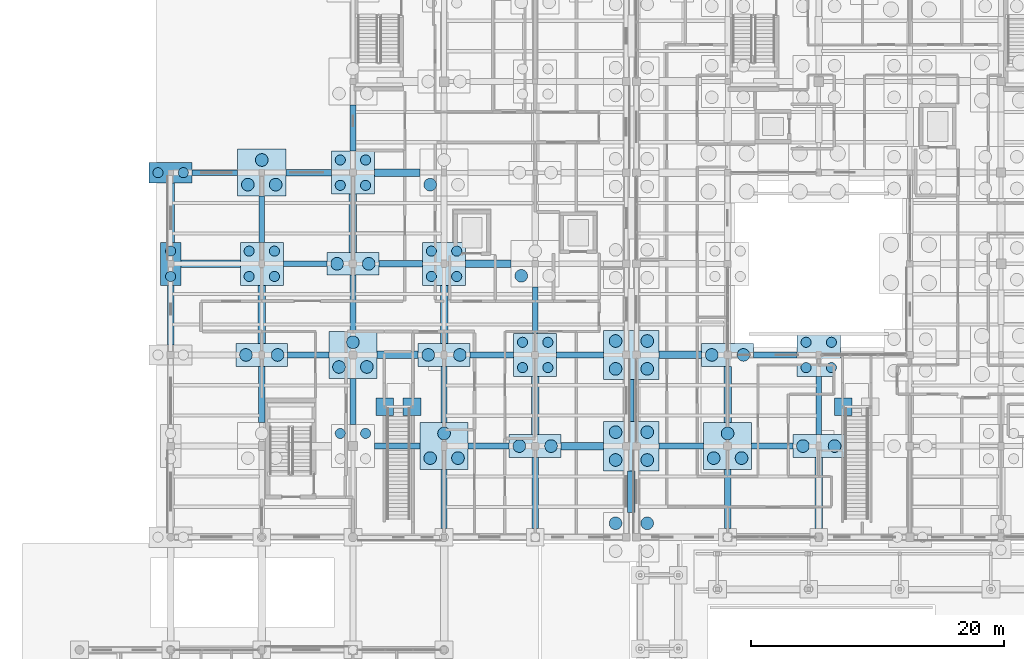
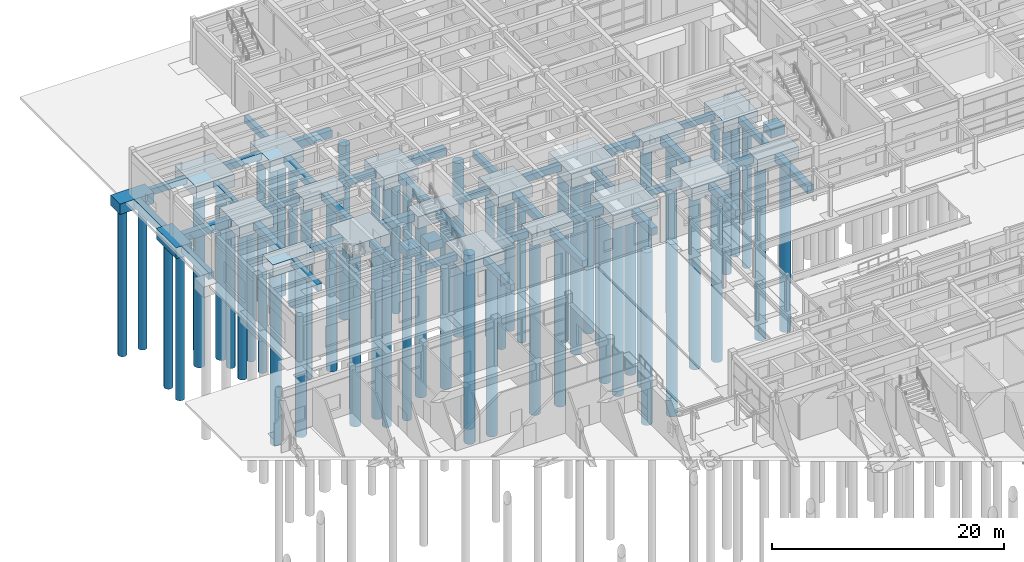
# One storey, part 6 of 143: 62 piles, 61 footings.
"""IFC4 building model written with IfcOpenShell, lengths in metres."""

from ifc_helpers import new_model, si_unit, direction, frame, origin, origin_2d, place, context, subcontext, project, spatial, rectangle, circle, extrude, material, material_profile, profile_set, type_object, element, save


model = new_model("IFC4")

# Units and contexts
model_context = context("Model", 3, precision=1e-05, world=origin(), true_north=direction((0.0, 1.0)))
body_context = subcontext(model_context, "Body", "Model", "MODEL_VIEW")
ifc_project = project(units=[si_unit("LENGTHUNIT", "METRE"), si_unit("AREAUNIT", "SQUARE_METRE"), si_unit("VOLUMEUNIT", "CUBIC_METRE"), si_unit("PLANEANGLEUNIT", "RADIAN"), si_unit("MASSUNIT", "GRAM", prefix="KILO")], contexts=[model_context])

# Site, building, storey
site_placement = place(None, origin())
site = spatial("IfcSite", under=ifc_project, at=site_placement, CompositionType="ELEMENT")
building_placement = place(site_placement, origin())
building = spatial("IfcBuilding", under=site, at=building_placement, Name="Steenspoor Specialist Clinic", CompositionType="ELEMENT")
storey_placement = place(building_placement, origin())
storey = spatial("IfcBuildingStorey", under=building, at=storey_placement, Name="L00", CompositionType="ELEMENT", Elevation=0.0)

# Footings
ifc_material = material(Name="Concrete C35/45", Category="concrete")
footing_type_1 = type_object("IfcFootingType", Name="FTG-PC-1P-700", PredefinedType="PILE_CAP", material=ifc_material)
for number, where, z_axis, x_axis, name in (
    (1, (68.72509765625, 75.449951171875, -0.89990234375), (0.0, 0.0, 1.0), (1.0, 0.0, 0.0), "Feature Stair Pad ST-F02 L"),
    (2, (32.52490234375, 75.449951171875, -0.89990234375), (0.0, 0.0, 1.0), (1.0, 0.0, 0.0), "Feature Stair Pad ST-F05 L"),
    (3, (34.675048828125, 75.449951171875, -0.89990234375), (0.0, 0.0, 1.0), (1.0, 0.0, 0.0), "Feature Stair Pad ST-F05 R"),
):
    element("IfcFooting", number, at=place(storey_placement, frame(where, z_axis=z_axis, x_axis=x_axis)), inside=storey, type_object=footing_type_1, Name=name, PredefinedType="PILE_CAP", context=body_context, shape_type="SweptSolid", body=[
        extrude(rectangle(XDim=1.39990234375, YDim=1.39990234375, at=origin_2d()), origin(), (0.0, 0.0, 1.0), 0.89990234375),
    ])
footing_type_2 = type_object("IfcFootingType", Name="FTG-PC-2P-1000", PredefinedType="PILE_CAP", material=ifc_material)
for number, where, z_axis, x_axis, name in (
    (4, (59.60009765625, 79.550048828125, -1.25), (0.0, 0.0, 1.0), (1.0, 0.0, 0.0), "Pile Cap FTG-PC-109"),
    (5, (66.800048828125, 72.35009765625, -1.25), (0.0, 0.0, 1.0), (1.0, 0.0, 0.0), "Pile Cap FTG-PC-115"),
    (6, (22.800048828125, 79.550048828125, -1.25), (0.0, 0.0, 1.0), (1.0, 0.0, 0.0), "Pile Cap FTG-PC-175"),
    (7, (30.0, 86.75, -1.25), (0.0, 0.0, 1.0), (1.0, 0.0, 0.0), "Pile Cap FTG-PC-181"),
    (8, (37.199951171875, 79.550048828125, -1.25), (0.0, 0.0, 1.0), (1.0, 0.0, 0.0), "Pile Cap FTG-PC-187"),
    (9, (44.39990234375, 72.35009765625, -1.25), (0.0, 0.0, 1.0), (1.0, 0.0, 0.0), "Pile Cap FTG-PC-193"),
):
    element("IfcFooting", number, at=place(storey_placement, frame(where, z_axis=z_axis, x_axis=x_axis)), inside=storey, type_object=footing_type_2, Name=name, PredefinedType="PILE_CAP", context=body_context, shape_type="SweptSolid", body=[
        extrude(rectangle(XDim=4.10009765625, YDim=1.800048828125, at=origin_2d()), origin(), (0.0, 0.0, 1.0), 1.25),
    ])
footing_type_3 = type_object("IfcFootingType", Name="FTG-PC-2P-800X", PredefinedType="PILE_CAP", material=ifc_material)
footing_1_placement = place(storey_placement, frame((15.60009765625, 93.949951171875, -1.10009765625), z_axis=(0.0, 0.0, 1.0), x_axis=(1.0, 0.0, 0.0)))
element("IfcFooting", 10, at=footing_1_placement, inside=storey, type_object=footing_type_3, Name="Pile Cap FTG-PC-172", PredefinedType="PILE_CAP", context=body_context, shape_type="SweptSolid", body=[
    extrude(rectangle(XDim=3.39990234375, YDim=1.60009765625, at=origin_2d()), origin(), (0.0, 0.0, 1.0), 1.10009765625),
])
footing_type_4 = type_object("IfcFootingType", Name="FTG-PC-2P-800Y", PredefinedType="PILE_CAP", material=ifc_material)
footing_2_placement = place(storey_placement, frame((15.60009765625, 86.75, -1.14990234375), z_axis=(0.0, 0.0, 1.0), x_axis=(1.0, 0.0, 0.0)))
element("IfcFooting", 11, at=footing_2_placement, inside=storey, type_object=footing_type_4, Name="Pile Cap FTG-PC-171", PredefinedType="PILE_CAP", context=body_context, shape_type="SweptSolid", body=[
    extrude(rectangle(XDim=1.60009765625, YDim=3.39990234375, at=origin_2d()), origin(), (0.0, 0.0, 1.0), 1.14990234375),
])
footing_type_5 = type_object("IfcFootingType", Name="FTG-PC-3P-1000", PredefinedType="PILE_CAP", material=ifc_material)
for number, where, z_axis, x_axis, name in (
    (12, (59.60009765625, 72.35009765625, -1.2998046875), (0.0, 0.0, 1.0), (1.0, 0.0, 0.0), "Pile Cap FTG-PC-108"),
    (13, (22.800048828125, 93.949951171875, -1.2998046875), (0.0, 0.0, 1.0), (1.0, 0.0, 0.0), "Pile Cap FTG-PC-177"),
    (14, (30.0, 79.550048828125, -1.2998046875), (0.0, 0.0, 1.0), (1.0, 0.0, 0.0), "Pile Cap FTG-PC-180"),
    (15, (37.199951171875, 72.35009765625, -1.2998046875), (0.0, 0.0, 1.0), (1.0, 0.0, 0.0), "Pile Cap FTG-PC-186"),
):
    element("IfcFooting", number, at=place(storey_placement, frame(where, z_axis=z_axis, x_axis=x_axis)), inside=storey, type_object=footing_type_5, Name=name, PredefinedType="PILE_CAP", context=body_context, shape_type="SweptSolid", body=[
        extrude(rectangle(XDim=3.800048828125, YDim=3.699951171875, at=origin_2d()), origin(), (0.0, 0.0, 1.0), 1.300048828125),
    ])
footing_type_6 = type_object("IfcFootingType", Name="FTG-PC-4P-800", PredefinedType="PILE_CAP", material=ifc_material)
for number, where, z_axis, x_axis, name in (
    (16, (66.800048828125, 79.550048828125, -1.2001953125), (0.0, 0.0, 1.0), (1.0, 0.0, 0.0), "Pile Cap FTG-PC-116"),
    (17, (22.800048828125, 86.75, -1.2001953125), (0.0, 0.0, 1.0), (1.0, 0.0, 0.0), "Pile Cap FTG-PC-176"),
    (18, (30.0, 93.949951171875, -1.2001953125), (0.0, 0.0, 1.0), (1.0, 0.0, 0.0), "Pile Cap FTG-PC-182"),
    (19, (37.199951171875, 86.75, -1.2001953125), (0.0, 0.0, 1.0), (1.0, 0.0, 0.0), "Pile Cap FTG-PC-188"),
    (20, (44.39990234375, 79.550048828125, -1.2001953125), (0.0, 0.0, 1.0), (1.0, 0.0, 0.0), "Pile Cap FTG-PC-194"),
):
    element("IfcFooting", number, at=place(storey_placement, frame(where, z_axis=z_axis, x_axis=x_axis)), inside=storey, type_object=footing_type_6, Name=name, PredefinedType="PILE_CAP", context=body_context, shape_type="SweptSolid", body=[
        extrude(rectangle(XDim=3.39990234375, YDim=3.39990234375, at=origin_2d()), origin(), (0.0, 0.0, 1.0), 1.199951171875),
    ])
footing_type_7 = type_object("IfcFootingType", Name="FTG-PC-SJ-4P", PredefinedType="PILE_CAP", material=ifc_material)
for number, where, z_axis, x_axis, name in (
    (21, (52.0, 72.35009765625, -1.4501953125), (0.0, 0.0, 1.0), (1.0, 0.0, 0.0), "Pile Cap FTG-PC-101"),
    (22, (52.0, 79.550048828125, -1.4501953125), (0.0, 0.0, 1.0), (1.0, 0.0, 0.0), "Pile Cap FTG-PC-102"),
):
    element("IfcFooting", number, at=place(storey_placement, frame(where, z_axis=z_axis, x_axis=x_axis)), inside=storey, type_object=footing_type_7, Name=name, PredefinedType="PILE_CAP", context=body_context, shape_type="SweptSolid", body=[
        extrude(rectangle(XDim=4.39990234375, YDim=3.89990234375, at=origin_2d()), origin(), (0.0, 0.0, 1.0), 1.449951171875),
    ])
footing_type_8 = type_object("IfcFootingType", Name="FTG-TB-450X650", PredefinedType="FOOTING_BEAM", material=ifc_material)
footing_3_placement = place(storey_placement, frame((33.5, 72.35009765625, -0.64990234375), z_axis=(0.0, 0.0, 1.0), x_axis=(1.0, 0.0, 0.0)))
element("IfcFooting", 23, at=footing_3_placement, inside=storey, type_object=footing_type_8, Name="Seismic Tie Beam FTG-TB-152", PredefinedType="FOOTING_BEAM", context=body_context, shape_type="SweptSolid", body=[
    extrude(rectangle(XDim=3.60009765625, YDim=0.449951171875, at=origin_2d()), origin(), (0.0, 0.0, 1.0), 0.64990234375),
])
footing_4_placement = place(storey_placement, frame((55.949951171875, 72.35009765625, -0.64990234375), z_axis=(0.0, 0.0, 1.0), x_axis=(1.0, 0.0, 0.0)))
element("IfcFooting", 24, at=footing_4_placement, inside=storey, type_object=footing_type_8, Name="Seismic Tie Beam FTG-TB-155", PredefinedType="FOOTING_BEAM", context=body_context, shape_type="SweptSolid", body=[
    extrude(rectangle(XDim=3.5, YDim=0.449951171875, at=origin_2d()), origin(), (0.0, 0.0, 1.0), 0.64990234375),
])
for number, where, z_axis, x_axis, name in (
    (25, (40.97509765625, 79.550048828125, -0.64990234375), (0.0, 0.0, 1.0), (1.0, 0.0, 0.0), "Seismic Tie Beam FTG-TB-173"),
    (26, (63.375, 79.550048828125, -0.64990234375), (0.0, 0.0, 1.0), (1.0, 0.0, 0.0), "Seismic Tie Beam FTG-TB-176"),
    (27, (26.22509765625, 86.75, -0.64990234375), (0.0, 0.0, 1.0), (1.0, 0.0, 0.0), "Seismic Tie Beam FTG-TB-191"),
):
    element("IfcFooting", number, at=place(storey_placement, frame(where, z_axis=z_axis, x_axis=x_axis)), inside=storey, type_object=footing_type_8, Name=name, PredefinedType="FOOTING_BEAM", context=body_context, shape_type="SweptSolid", body=[
        extrude(rectangle(XDim=3.449951171875, YDim=0.449951171875, at=origin_2d()), origin(), (0.0, 0.0, 1.0), 0.64990234375),
    ])
footing_5_placement = place(storey_placement, frame((19.10009765625, 93.949951171875, -0.64990234375), z_axis=(0.0, 0.0, 1.0), x_axis=(1.0, 0.0, 0.0)))
element("IfcFooting", 28, at=footing_5_placement, inside=storey, type_object=footing_type_8, Name="Seismic Tie Beam FTG-TB-206", PredefinedType="FOOTING_BEAM", context=body_context, shape_type="SweptSolid", body=[
    extrude(rectangle(XDim=3.60009765625, YDim=0.449951171875, at=origin_2d()), origin(), (0.0, 0.0, 1.0), 0.64990234375),
])
for number, where, z_axis, x_axis, name in (
    (29, (22.800048828125, 90.27490234375, -0.64990234375), (0.0, 0.0, 1.0), (1.0, 0.0, 0.0), "Seismic Tie Beam FTG-TB-284"),
    (30, (30.0, 75.875, -0.64990234375), (0.0, 0.0, 1.0), (1.0, 0.0, 0.0), "Seismic Tie Beam FTG-TB-290"),
    (31, (30.0, 97.47509765625, -0.64990234375), (0.0, 0.0, 1.0), (1.0, 0.0, 0.0), "Seismic Tie Beam FTG-TB-293"),
):
    element("IfcFooting", number, at=place(storey_placement, frame(where, z_axis=z_axis, x_axis=x_axis)), inside=storey, type_object=footing_type_8, Name=name, PredefinedType="FOOTING_BEAM", context=body_context, shape_type="SweptSolid", body=[
        extrude(rectangle(XDim=0.449951171875, YDim=3.64990234375, at=origin_2d()), origin(), (0.0, 0.0, 1.0), 0.64990234375),
    ])
footing_6_placement = place(storey_placement, frame((37.199951171875, 68.175048828125, -0.64990234375), z_axis=(0.0, 0.0, 1.0), x_axis=(1.0, 0.0, 0.0)))
element("IfcFooting", 32, at=footing_6_placement, inside=storey, type_object=footing_type_8, Name="Seismic Tie Beam FTG-TB-299", PredefinedType="FOOTING_BEAM", context=body_context, shape_type="SweptSolid", body=[
    extrude(rectangle(XDim=0.449951171875, YDim=4.64990234375, at=origin_2d()), origin(), (0.0, 0.0, 1.0), 0.64990234375),
])
footing_7_placement = place(storey_placement, frame((44.39990234375, 83.074951171875, -0.64990234375), z_axis=(0.0, 0.0, 1.0), x_axis=(1.0, 0.0, 0.0)))
element("IfcFooting", 33, at=footing_7_placement, inside=storey, type_object=footing_type_8, Name="Seismic Tie Beam FTG-TB-308", PredefinedType="FOOTING_BEAM", context=body_context, shape_type="SweptSolid", body=[
    extrude(rectangle(XDim=0.449951171875, YDim=3.64990234375, at=origin_2d()), origin(), (0.0, 0.0, 1.0), 0.64990234375),
])
footing_8_placement = place(storey_placement, frame((52.0, 75.949951171875, -0.64990234375), z_axis=(0.0, 0.0, 1.0), x_axis=(1.0, 0.0, 0.0)))
element("IfcFooting", 34, at=footing_8_placement, inside=storey, type_object=footing_type_8, Name="Seismic Tie Beam FTG-TB-317", PredefinedType="FOOTING_BEAM", context=body_context, shape_type="SweptSolid", body=[
    extrude(rectangle(XDim=0.449951171875, YDim=3.300048828125, at=origin_2d()), origin(), (0.0, 0.0, 1.0), 0.64990234375),
])
footing_9_placement = place(storey_placement, frame((66.800048828125, 75.550048828125, -0.64990234375), z_axis=(0.0, 0.0, 1.0), x_axis=(1.0, 0.0, 0.0)))
element("IfcFooting", 35, at=footing_9_placement, inside=storey, type_object=footing_type_8, Name="Seismic Tie Beam FTG-TB-344", PredefinedType="FOOTING_BEAM", context=body_context, shape_type="SweptSolid", body=[
    extrude(rectangle(XDim=0.449951171875, YDim=4.60009765625, at=origin_2d()), origin(), (0.0, 0.0, 1.0), 0.64990234375),
])
footing_type_9 = type_object("IfcFootingType", Name="FTG-TB-500X700", PredefinedType="FOOTING_BEAM", material=ifc_material)
for number, where, z_axis, x_axis, name in (
    (36, (40.72509765625, 72.35009765625, -0.7001953125), (0.0, 0.0, 1.0), (1.0, 0.0, 0.0), "Seismic Tie Beam FTG-TB-153"),
    (37, (63.125, 72.35009765625, -0.7001953125), (0.0, 0.0, 1.0), (1.0, 0.0, 0.0), "Seismic Tie Beam FTG-TB-156"),
    (38, (26.47509765625, 79.550048828125, -0.7001953125), (0.0, 0.0, 1.0), (1.0, 0.0, 0.0), "Seismic Tie Beam FTG-TB-171"),
):
    element("IfcFooting", number, at=place(storey_placement, frame(where, z_axis=z_axis, x_axis=x_axis)), inside=storey, type_object=footing_type_9, Name=name, PredefinedType="FOOTING_BEAM", context=body_context, shape_type="SweptSolid", body=[
        extrude(rectangle(XDim=3.25, YDim=0.5, at=origin_2d()), origin(), (0.0, 0.0, 1.0), 0.699951171875),
    ])
footing_10_placement = place(storey_placement, frame((47.949951171875, 79.550048828125, -0.7001953125), z_axis=(0.0, 0.0, 1.0), x_axis=(1.0, 0.0, 0.0)))
element("IfcFooting", 39, at=footing_10_placement, inside=storey, type_object=footing_type_9, Name="Seismic Tie Beam FTG-TB-174", PredefinedType="FOOTING_BEAM", context=body_context, shape_type="SweptSolid", body=[
    extrude(rectangle(XDim=3.699951171875, YDim=0.5, at=origin_2d()), origin(), (0.0, 0.0, 1.0), 0.699951171875),
])
footing_11_placement = place(storey_placement, frame((33.77490234375, 86.75, -0.7001953125), z_axis=(0.0, 0.0, 1.0), x_axis=(1.0, 0.0, 0.0)))
element("IfcFooting", 40, at=footing_11_placement, inside=storey, type_object=footing_type_9, Name="Seismic Tie Beam FTG-TB-192", PredefinedType="FOOTING_BEAM", context=body_context, shape_type="SweptSolid", body=[
    extrude(rectangle(XDim=3.449951171875, YDim=0.5, at=origin_2d()), origin(), (0.0, 0.0, 1.0), 0.699951171875),
])
footing_12_placement = place(storey_placement, frame((26.5, 93.949951171875, -0.7001953125), z_axis=(0.0, 0.0, 1.0), x_axis=(1.0, 0.0, 0.0)))
element("IfcFooting", 41, at=footing_12_placement, inside=storey, type_object=footing_type_9, Name="Seismic Tie Beam FTG-TB-207", PredefinedType="FOOTING_BEAM", context=body_context, shape_type="SweptSolid", body=[
    extrude(rectangle(XDim=3.60009765625, YDim=0.5, at=origin_2d()), origin(), (0.0, 0.0, 1.0), 0.699951171875),
])
footing_13_placement = place(storey_placement, frame((15.60009765625, 82.699951171875, -0.7001953125), z_axis=(0.0, 0.0, 1.0), x_axis=(1.0, 0.0, 0.0)))
element("IfcFooting", 42, at=footing_13_placement, inside=storey, type_object=footing_type_9, Name="Seismic Tie Beam FTG-TB-276", PredefinedType="FOOTING_BEAM", context=body_context, shape_type="SweptSolid", body=[
    extrude(rectangle(XDim=0.5, YDim=4.699951171875, at=origin_2d()), origin(), (0.0, 0.0, 1.0), 0.699951171875),
])
for number, where, z_axis, x_axis, name in (
    (43, (22.800048828125, 76.425048828125, -0.7001953125), (0.0, 0.0, 1.0), (1.0, 0.0, 0.0), "Seismic Tie Beam FTG-TB-282"),
    (44, (30.0, 83.625, -0.7001953125), (0.0, 0.0, 1.0), (1.0, 0.0, 0.0), "Seismic Tie Beam FTG-TB-291"),
    (45, (37.199951171875, 76.425048828125, -0.7001953125), (0.0, 0.0, 1.0), (1.0, 0.0, 0.0), "Seismic Tie Beam FTG-TB-300"),
):
    element("IfcFooting", number, at=place(storey_placement, frame(where, z_axis=z_axis, x_axis=x_axis)), inside=storey, type_object=footing_type_9, Name=name, PredefinedType="FOOTING_BEAM", context=body_context, shape_type="SweptSolid", body=[
        extrude(rectangle(XDim=0.5, YDim=4.449951171875, at=origin_2d()), origin(), (0.0, 0.0, 1.0), 0.699951171875),
    ])
footing_14_placement = place(storey_placement, frame((44.39990234375, 68.64990234375, -0.7001953125), z_axis=(0.0, 0.0, 1.0), x_axis=(1.0, 0.0, 0.0)))
element("IfcFooting", 46, at=footing_14_placement, inside=storey, type_object=footing_type_9, Name="Seismic Tie Beam FTG-TB-306", PredefinedType="FOOTING_BEAM", context=body_context, shape_type="SweptSolid", body=[
    extrude(rectangle(XDim=0.5, YDim=5.60009765625, at=origin_2d()), origin(), (0.0, 0.0, 1.0), 0.699951171875),
])
footing_15_placement = place(storey_placement, frame((59.60009765625, 68.175048828125, -0.7001953125), z_axis=(0.0, 0.0, 1.0), x_axis=(1.0, 0.0, 0.0)))
element("IfcFooting", 47, at=footing_15_placement, inside=storey, type_object=footing_type_9, Name="Seismic Tie Beam FTG-TB-333", PredefinedType="FOOTING_BEAM", context=body_context, shape_type="SweptSolid", body=[
    extrude(rectangle(XDim=0.5, YDim=4.64990234375, at=origin_2d()), origin(), (0.0, 0.0, 1.0), 0.699951171875),
])
footing_type_10 = type_object("IfcFootingType", Name="FTG-TB-600X800", PredefinedType="FOOTING_BEAM", material=ifc_material)
footing_16_placement = place(storey_placement, frame((48.125, 72.35009765625, -0.7998046875), z_axis=(0.0, 0.0, 1.0), x_axis=(1.0, 0.0, 0.0)))
element("IfcFooting", 48, at=footing_16_placement, inside=storey, type_object=footing_type_10, Name="Seismic Tie Beam FTG-TB-154", PredefinedType="FOOTING_BEAM", context=body_context, shape_type="SweptSolid", body=[
    extrude(rectangle(XDim=3.35009765625, YDim=0.60009765625, at=origin_2d()), origin(), (0.0, 0.0, 1.0), 0.800048828125),
])
footing_17_placement = place(storey_placement, frame((33.52490234375, 79.550048828125, -0.7998046875), z_axis=(0.0, 0.0, 1.0), x_axis=(1.0, 0.0, 0.0)))
element("IfcFooting", 49, at=footing_17_placement, inside=storey, type_object=footing_type_10, Name="Seismic Tie Beam FTG-TB-172", PredefinedType="FOOTING_BEAM", context=body_context, shape_type="SweptSolid", body=[
    extrude(rectangle(XDim=3.25, YDim=0.60009765625, at=origin_2d()), origin(), (0.0, 0.0, 1.0), 0.800048828125),
])
footing_18_placement = place(storey_placement, frame((55.875, 79.550048828125, -0.7998046875), z_axis=(0.0, 0.0, 1.0), x_axis=(1.0, 0.0, 0.0)))
element("IfcFooting", 50, at=footing_18_placement, inside=storey, type_object=footing_type_10, Name="Seismic Tie Beam FTG-TB-175", PredefinedType="FOOTING_BEAM", context=body_context, shape_type="SweptSolid", body=[
    extrude(rectangle(XDim=3.35009765625, YDim=0.60009765625, at=origin_2d()), origin(), (0.0, 0.0, 1.0), 0.800048828125),
])
footing_19_placement = place(storey_placement, frame((18.75, 86.75, -0.7998046875), z_axis=(0.0, 0.0, 1.0), x_axis=(1.0, 0.0, 0.0)))
element("IfcFooting", 51, at=footing_19_placement, inside=storey, type_object=footing_type_10, Name="Seismic Tie Beam FTG-TB-190", PredefinedType="FOOTING_BEAM", context=body_context, shape_type="SweptSolid", body=[
    extrude(rectangle(XDim=4.699951171875, YDim=0.60009765625, at=origin_2d()), origin(), (0.0, 0.0, 1.0), 0.800048828125),
])
for number, where, z_axis, x_axis, name in (
    (52, (40.699951171875, 86.75, -0.7998046875), (0.0, 0.0, 1.0), (1.0, 0.0, 0.0), "Seismic Tie Beam FTG-TB-193"),
    (53, (33.5, 93.949951171875, -0.7998046875), (0.0, 0.0, 1.0), (1.0, 0.0, 0.0), "Seismic Tie Beam FTG-TB-208"),
):
    element("IfcFooting", number, at=place(storey_placement, frame(where, z_axis=z_axis, x_axis=x_axis)), inside=storey, type_object=footing_type_10, Name=name, PredefinedType="FOOTING_BEAM", context=body_context, shape_type="SweptSolid", body=[
        extrude(rectangle(XDim=3.60009765625, YDim=0.60009765625, at=origin_2d()), origin(), (0.0, 0.0, 1.0), 0.800048828125),
    ])
footing_20_placement = place(storey_placement, frame((15.60009765625, 90.800048828125, -0.7998046875), z_axis=(0.0, 0.0, 1.0), x_axis=(1.0, 0.0, 0.0)))
element("IfcFooting", 54, at=footing_20_placement, inside=storey, type_object=footing_type_10, Name="Seismic Tie Beam FTG-TB-277", PredefinedType="FOOTING_BEAM", context=body_context, shape_type="SweptSolid", body=[
    extrude(rectangle(XDim=0.60009765625, YDim=4.699951171875, at=origin_2d()), origin(), (0.0, 0.0, 1.0), 0.800048828125),
])
for number, where, z_axis, x_axis, name in (
    (55, (22.800048828125, 82.75, -0.7998046875), (0.0, 0.0, 1.0), (1.0, 0.0, 0.0), "Seismic Tie Beam FTG-TB-283"),
    (56, (30.0, 89.949951171875, -0.7998046875), (0.0, 0.0, 1.0), (1.0, 0.0, 0.0), "Seismic Tie Beam FTG-TB-292"),
    (57, (37.199951171875, 82.75, -0.7998046875), (0.0, 0.0, 1.0), (1.0, 0.0, 0.0), "Seismic Tie Beam FTG-TB-301"),
    (58, (44.39990234375, 75.550048828125, -0.7998046875), (0.0, 0.0, 1.0), (1.0, 0.0, 0.0), "Seismic Tie Beam FTG-TB-307"),
):
    element("IfcFooting", number, at=place(storey_placement, frame(where, z_axis=z_axis, x_axis=x_axis)), inside=storey, type_object=footing_type_10, Name=name, PredefinedType="FOOTING_BEAM", context=body_context, shape_type="SweptSolid", body=[
        extrude(rectangle(XDim=0.60009765625, YDim=4.60009765625, at=origin_2d()), origin(), (0.0, 0.0, 1.0), 0.800048828125),
    ])
footing_21_placement = place(storey_placement, frame((52.0, 68.75, -0.7998046875), z_axis=(0.0, 0.0, 1.0), x_axis=(1.0, 0.0, 0.0)))
element("IfcFooting", 59, at=footing_21_placement, inside=storey, type_object=footing_type_10, Name="Seismic Tie Beam FTG-TB-316", PredefinedType="FOOTING_BEAM", context=body_context, shape_type="SweptSolid", body=[
    extrude(rectangle(XDim=0.60009765625, YDim=3.300048828125, at=origin_2d()), origin(), (0.0, 0.0, 1.0), 0.800048828125),
])
footing_22_placement = place(storey_placement, frame((59.60009765625, 76.425048828125, -0.7998046875), z_axis=(0.0, 0.0, 1.0), x_axis=(1.0, 0.0, 0.0)))
element("IfcFooting", 60, at=footing_22_placement, inside=storey, type_object=footing_type_10, Name="Seismic Tie Beam FTG-TB-334", PredefinedType="FOOTING_BEAM", context=body_context, shape_type="SweptSolid", body=[
    extrude(rectangle(XDim=0.60009765625, YDim=4.449951171875, at=origin_2d()), origin(), (0.0, 0.0, 1.0), 0.800048828125),
])
footing_23_placement = place(storey_placement, frame((66.800048828125, 68.64990234375, -0.7998046875), z_axis=(0.0, 0.0, 1.0), x_axis=(1.0, 0.0, 0.0)))
element("IfcFooting", 61, at=footing_23_placement, inside=storey, type_object=footing_type_10, Name="Seismic Tie Beam FTG-TB-343", PredefinedType="FOOTING_BEAM", context=body_context, shape_type="SweptSolid", body=[
    extrude(rectangle(XDim=0.60009765625, YDim=5.60009765625, at=origin_2d()), origin(), (0.0, 0.0, 1.0), 0.800048828125),
])

# Piles
ifc_material_profile_1 = material_profile(ifc_material, circle(Radius=0.5, at=origin_2d()), Name="PILE-D1000")
ifc_profile_set_1 = profile_set([ifc_material_profile_1], Name="Concrete C35/45")
pile_type_1 = type_object("IfcPileType", Name="PILE-RC-D1000", PredefinedType="BORED", material=ifc_profile_set_1)
for number, where, z_axis, x_axis, name in (
    (62, (50.75, 66.25, -1.35009765625), (0.0, 0.0, -1.0), (1.0, 0.0, 0.0), "Bored Pile PILE-0182"),
    (63, (53.25, 66.25, -1.35009765625), (0.0, 0.0, -1.0), (1.0, 0.0, 0.0), "Bored Pile PILE-0183"),
    (64, (50.75, 71.25, -1.35009765625), (0.0, 0.0, -1.0), (1.0, 0.0, 0.0), "Bored Pile PILE-0184"),
    (65, (53.25, 71.25, -1.35009765625), (0.0, 0.0, -1.0), (1.0, 0.0, 0.0), "Bored Pile PILE-0185"),
    (66, (50.75, 73.449951171875, -1.35009765625), (0.0, 0.0, -1.0), (1.0, 0.0, 0.0), "Bored Pile PILE-0186"),
    (67, (53.25, 73.449951171875, -1.35009765625), (0.0, 0.0, -1.0), (1.0, 0.0, 0.0), "Bored Pile PILE-0187"),
    (68, (50.75, 78.449951171875, -1.35009765625), (0.0, 0.0, -1.0), (1.0, 0.0, 0.0), "Bored Pile PILE-0188"),
    (69, (53.25, 78.449951171875, -1.35009765625), (0.0, 0.0, -1.0), (1.0, 0.0, 0.0), "Bored Pile PILE-0189"),
    (70, (50.75, 80.64990234375, -1.35009765625), (0.0, 0.0, -1.0), (1.0, 0.0, 0.0), "Bored Pile PILE-0190"),
    (71, (53.25, 80.64990234375, -1.35009765625), (0.0, 0.0, -1.0), (1.0, 0.0, 0.0), "Bored Pile PILE-0191"),
):
    element("IfcPile", number, at=place(storey_placement, frame(where, z_axis=z_axis, x_axis=x_axis)), inside=storey, type_object=pile_type_1, Name=name, PredefinedType="BORED", context=body_context, shape_type="SweptSolid", body=[
        extrude(circle(Radius=0.5, at=origin_2d()), origin(), (0.0, 0.0, 1.0), 18.14990234375),
    ])
for number, where, z_axis, x_axis, name in (
    (72, (58.5, 71.39990234375, -1.199951171875), (0.0, 0.0, -1.0), (1.0, 0.0, 0.0), "Bored Pile PILE-0209"),
    (73, (60.699951171875, 71.39990234375, -1.199951171875), (0.0, 0.0, -1.0), (1.0, 0.0, 0.0), "Bored Pile PILE-0210"),
    (74, (59.60009765625, 73.35009765625, -1.199951171875), (0.0, 0.0, -1.0), (1.0, 0.0, 0.0), "Bored Pile PILE-0211"),
):
    element("IfcPile", number, at=place(storey_placement, frame(where, z_axis=z_axis, x_axis=x_axis)), inside=storey, type_object=pile_type_1, Name=name, PredefinedType="BORED", context=body_context, shape_type="SweptSolid", body=[
        extrude(circle(Radius=0.5, at=origin_2d()), origin(), (0.0, 0.0, 1.0), 18.300048828125),
    ])
for number, where, z_axis, x_axis, name in (
    (75, (58.35009765625, 79.550048828125, -1.14990234375), (0.0, 0.0, -1.0), (1.0, 0.0, 0.0), "Bored Pile PILE-0212"),
    (76, (60.85009765625, 79.550048828125, -1.14990234375), (0.0, 0.0, -1.0), (1.0, 0.0, 0.0), "Bored Pile PILE-0213"),
    (77, (65.550048828125, 72.35009765625, -1.14990234375), (0.0, 0.0, -1.0), (1.0, 0.0, 0.0), "Bored Pile PILE-0231"),
    (78, (68.050048828125, 72.35009765625, -1.14990234375), (0.0, 0.0, -1.0), (1.0, 0.0, 0.0), "Bored Pile PILE-0232"),
    (79, (21.550048828125, 79.550048828125, -1.14990234375), (0.0, 0.0, -1.0), (1.0, 0.0, 0.0), "Bored Pile PILE-0444"),
    (80, (24.050048828125, 79.550048828125, -1.14990234375), (0.0, 0.0, -1.0), (1.0, 0.0, 0.0), "Bored Pile PILE-0445"),
):
    element("IfcPile", number, at=place(storey_placement, frame(where, z_axis=z_axis, x_axis=x_axis)), inside=storey, type_object=pile_type_1, Name=name, PredefinedType="BORED", context=body_context, shape_type="SweptSolid", body=[
        extrude(circle(Radius=0.5, at=origin_2d()), origin(), (0.0, 0.0, 1.0), 18.35009765625),
    ])
for number, where, z_axis, x_axis, name in (
    (81, (21.699951171875, 93.0, -1.199951171875), (0.0, 0.0, -1.0), (1.0, 0.0, 0.0), "Bored Pile PILE-0450"),
    (82, (23.89990234375, 93.0, -1.199951171875), (0.0, 0.0, -1.0), (1.0, 0.0, 0.0), "Bored Pile PILE-0451"),
    (83, (22.800048828125, 94.949951171875, -1.199951171875), (0.0, 0.0, -1.0), (1.0, 0.0, 0.0), "Bored Pile PILE-0452"),
    (84, (28.89990234375, 78.60009765625, -1.199951171875), (0.0, 0.0, -1.0), (1.0, 0.0, 0.0), "Bored Pile PILE-0458"),
    (85, (31.10009765625, 78.60009765625, -1.199951171875), (0.0, 0.0, -1.0), (1.0, 0.0, 0.0), "Bored Pile PILE-0459"),
    (86, (30.0, 80.550048828125, -1.199951171875), (0.0, 0.0, -1.0), (1.0, 0.0, 0.0), "Bored Pile PILE-0460"),
):
    element("IfcPile", number, at=place(storey_placement, frame(where, z_axis=z_axis, x_axis=x_axis)), inside=storey, type_object=pile_type_1, Name=name, PredefinedType="BORED", context=body_context, shape_type="SweptSolid", body=[
        extrude(circle(Radius=0.5, at=origin_2d()), origin(), (0.0, 0.0, 1.0), 18.300048828125),
    ])
for number, where, z_axis, x_axis, name in (
    (87, (28.75, 86.75, -1.14990234375), (0.0, 0.0, -1.0), (1.0, 0.0, 0.0), "Bored Pile PILE-0461"),
    (88, (31.25, 86.75, -1.14990234375), (0.0, 0.0, -1.0), (1.0, 0.0, 0.0), "Bored Pile PILE-0462"),
):
    element("IfcPile", number, at=place(storey_placement, frame(where, z_axis=z_axis, x_axis=x_axis)), inside=storey, type_object=pile_type_1, Name=name, PredefinedType="BORED", context=body_context, shape_type="SweptSolid", body=[
        extrude(circle(Radius=0.5, at=origin_2d()), origin(), (0.0, 0.0, 1.0), 18.35009765625),
    ])
for number, where, z_axis, x_axis, name in (
    (89, (36.10009765625, 71.39990234375, -1.199951171875), (0.0, 0.0, -1.0), (1.0, 0.0, 0.0), "Bored Pile PILE-0473"),
    (90, (38.300048828125, 71.39990234375, -1.199951171875), (0.0, 0.0, -1.0), (1.0, 0.0, 0.0), "Bored Pile PILE-0474"),
    (91, (37.199951171875, 73.35009765625, -1.199951171875), (0.0, 0.0, -1.0), (1.0, 0.0, 0.0), "Bored Pile PILE-0475"),
):
    element("IfcPile", number, at=place(storey_placement, frame(where, z_axis=z_axis, x_axis=x_axis)), inside=storey, type_object=pile_type_1, Name=name, PredefinedType="BORED", context=body_context, shape_type="SweptSolid", body=[
        extrude(circle(Radius=0.5, at=origin_2d()), origin(), (0.0, 0.0, 1.0), 18.300048828125),
    ])
for number, where, z_axis, x_axis, name in (
    (92, (35.949951171875, 79.550048828125, -1.14990234375), (0.0, 0.0, -1.0), (1.0, 0.0, 0.0), "Bored Pile PILE-0476"),
    (93, (38.449951171875, 79.550048828125, -1.14990234375), (0.0, 0.0, -1.0), (1.0, 0.0, 0.0), "Bored Pile PILE-0477"),
):
    element("IfcPile", number, at=place(storey_placement, frame(where, z_axis=z_axis, x_axis=x_axis)), inside=storey, type_object=pile_type_1, Name=name, PredefinedType="BORED", context=body_context, shape_type="SweptSolid", body=[
        extrude(circle(Radius=0.5, at=origin_2d()), origin(), (0.0, 0.0, 1.0), 18.35009765625),
    ])
pile_1_placement = place(storey_placement, frame((36.10009765625, 93.0, -1.199951171875), z_axis=(0.0, 0.0, -1.0), x_axis=(1.0, 0.0, 0.0)))
element("IfcPile", 94, at=pile_1_placement, inside=storey, type_object=pile_type_1, Name="Bored Pile PILE-0482", PredefinedType="BORED", context=body_context, shape_type="SweptSolid", body=[
    extrude(circle(Radius=0.5, at=origin_2d()), origin(), (0.0, 0.0, 1.0), 18.300048828125),
])
for number, where, z_axis, x_axis, name in (
    (95, (43.14990234375, 72.35009765625, -1.14990234375), (0.0, 0.0, -1.0), (1.0, 0.0, 0.0), "Bored Pile PILE-0492"),
    (96, (45.64990234375, 72.35009765625, -1.14990234375), (0.0, 0.0, -1.0), (1.0, 0.0, 0.0), "Bored Pile PILE-0493"),
):
    element("IfcPile", number, at=place(storey_placement, frame(where, z_axis=z_axis, x_axis=x_axis)), inside=storey, type_object=pile_type_1, Name=name, PredefinedType="BORED", context=body_context, shape_type="SweptSolid", body=[
        extrude(circle(Radius=0.5, at=origin_2d()), origin(), (0.0, 0.0, 1.0), 18.35009765625),
    ])
pile_2_placement = place(storey_placement, frame((43.300048828125, 85.800048828125, -1.199951171875), z_axis=(0.0, 0.0, -1.0), x_axis=(1.0, 0.0, 0.0)))
element("IfcPile", 97, at=pile_2_placement, inside=storey, type_object=pile_type_1, Name="Bored Pile PILE-0498", PredefinedType="BORED", context=body_context, shape_type="SweptSolid", body=[
    extrude(circle(Radius=0.5, at=origin_2d()), origin(), (0.0, 0.0, 1.0), 18.300048828125),
])
ifc_material_profile_2 = material_profile(ifc_material, circle(Radius=0.39990234375, at=origin_2d()), Name="PILE-D800")
ifc_profile_set_2 = profile_set([ifc_material_profile_2], Name="Concrete C35/45")
pile_type_2 = type_object("IfcPileType", Name="PILE-RC-D800", PredefinedType="BORED", material=ifc_profile_set_2)
for number, where, z_axis, x_axis, name in (
    (98, (65.800048828125, 78.550048828125, -1.10009765625), (0.0, 0.0, -1.0), (1.0, 0.0, 0.0), "Bored Pile PILE-0233"),
    (99, (67.800048828125, 78.550048828125, -1.10009765625), (0.0, 0.0, -1.0), (1.0, 0.0, 0.0), "Bored Pile PILE-0234"),
    (100, (65.800048828125, 80.550048828125, -1.10009765625), (0.0, 0.0, -1.0), (1.0, 0.0, 0.0), "Bored Pile PILE-0235"),
    (101, (67.800048828125, 80.550048828125, -1.10009765625), (0.0, 0.0, -1.0), (1.0, 0.0, 0.0), "Bored Pile PILE-0236"),
):
    element("IfcPile", number, at=place(storey_placement, frame(where, z_axis=z_axis, x_axis=x_axis)), inside=storey, type_object=pile_type_2, Name=name, PredefinedType="BORED", context=body_context, shape_type="SweptSolid", body=[
        extrude(circle(Radius=0.39990234375, at=origin_2d()), origin(), (0.0, 0.0, 1.0), 15.39990234375),
    ])
for number, where, z_axis, x_axis, name in (
    (102, (15.60009765625, 85.75, -1.050048828125), (0.0, 0.0, -1.0), (1.0, 0.0, 0.0), "Bored Pile PILE-0436"),
    (103, (15.60009765625, 87.75, -1.050048828125), (0.0, 0.0, -1.0), (1.0, 0.0, 0.0), "Bored Pile PILE-0437"),
):
    element("IfcPile", number, at=place(storey_placement, frame(where, z_axis=z_axis, x_axis=x_axis)), inside=storey, type_object=pile_type_2, Name=name, PredefinedType="BORED", context=body_context, shape_type="SweptSolid", body=[
        extrude(circle(Radius=0.39990234375, at=origin_2d()), origin(), (0.0, 0.0, 1.0), 15.449951171875),
    ])
for number, where, z_axis, x_axis, name in (
    (104, (14.60009765625, 93.949951171875, -1.0), (0.0, 0.0, -1.0), (1.0, 0.0, 0.0), "Bored Pile PILE-0438"),
    (105, (16.60009765625, 93.949951171875, -1.0), (0.0, 0.0, -1.0), (1.0, 0.0, 0.0), "Bored Pile PILE-0439"),
):
    element("IfcPile", number, at=place(storey_placement, frame(where, z_axis=z_axis, x_axis=x_axis)), inside=storey, type_object=pile_type_2, Name=name, PredefinedType="BORED", context=body_context, shape_type="SweptSolid", body=[
        extrude(circle(Radius=0.39990234375, at=origin_2d()), origin(), (0.0, 0.0, 1.0), 15.5),
    ])
for number, where, z_axis, x_axis, name in (
    (106, (21.800048828125, 85.75, -1.10009765625), (0.0, 0.0, -1.0), (1.0, 0.0, 0.0), "Bored Pile PILE-0446"),
    (107, (23.800048828125, 85.75, -1.10009765625), (0.0, 0.0, -1.0), (1.0, 0.0, 0.0), "Bored Pile PILE-0447"),
    (108, (21.800048828125, 87.75, -1.10009765625), (0.0, 0.0, -1.0), (1.0, 0.0, 0.0), "Bored Pile PILE-0448"),
    (109, (23.800048828125, 87.75, -1.10009765625), (0.0, 0.0, -1.0), (1.0, 0.0, 0.0), "Bored Pile PILE-0449"),
    (110, (29.0, 73.35009765625, -1.10009765625), (0.0, 0.0, -1.0), (1.0, 0.0, 0.0), "Bored Pile PILE-0456"),
    (111, (31.0, 73.35009765625, -1.10009765625), (0.0, 0.0, -1.0), (1.0, 0.0, 0.0), "Bored Pile PILE-0457"),
    (112, (29.0, 92.949951171875, -1.10009765625), (0.0, 0.0, -1.0), (1.0, 0.0, 0.0), "Bored Pile PILE-0463"),
    (113, (31.0, 92.949951171875, -1.10009765625), (0.0, 0.0, -1.0), (1.0, 0.0, 0.0), "Bored Pile PILE-0464"),
    (114, (29.0, 94.949951171875, -1.10009765625), (0.0, 0.0, -1.0), (1.0, 0.0, 0.0), "Bored Pile PILE-0465"),
    (115, (31.0, 94.949951171875, -1.10009765625), (0.0, 0.0, -1.0), (1.0, 0.0, 0.0), "Bored Pile PILE-0466"),
    (116, (36.199951171875, 85.75, -1.10009765625), (0.0, 0.0, -1.0), (1.0, 0.0, 0.0), "Bored Pile PILE-0478"),
    (117, (38.199951171875, 85.75, -1.10009765625), (0.0, 0.0, -1.0), (1.0, 0.0, 0.0), "Bored Pile PILE-0479"),
    (118, (36.199951171875, 87.75, -1.10009765625), (0.0, 0.0, -1.0), (1.0, 0.0, 0.0), "Bored Pile PILE-0480"),
    (119, (38.199951171875, 87.75, -1.10009765625), (0.0, 0.0, -1.0), (1.0, 0.0, 0.0), "Bored Pile PILE-0481"),
    (120, (43.39990234375, 78.550048828125, -1.10009765625), (0.0, 0.0, -1.0), (1.0, 0.0, 0.0), "Bored Pile PILE-0494"),
    (121, (45.39990234375, 78.550048828125, -1.10009765625), (0.0, 0.0, -1.0), (1.0, 0.0, 0.0), "Bored Pile PILE-0495"),
    (122, (43.39990234375, 80.550048828125, -1.10009765625), (0.0, 0.0, -1.0), (1.0, 0.0, 0.0), "Bored Pile PILE-0496"),
    (123, (45.39990234375, 80.550048828125, -1.10009765625), (0.0, 0.0, -1.0), (1.0, 0.0, 0.0), "Bored Pile PILE-0497"),
):
    element("IfcPile", number, at=place(storey_placement, frame(where, z_axis=z_axis, x_axis=x_axis)), inside=storey, type_object=pile_type_2, Name=name, PredefinedType="BORED", context=body_context, shape_type="SweptSolid", body=[
        extrude(circle(Radius=0.39990234375, at=origin_2d()), origin(), (0.0, 0.0, 1.0), 15.39990234375),
    ])

save(model, "model.ifc")
